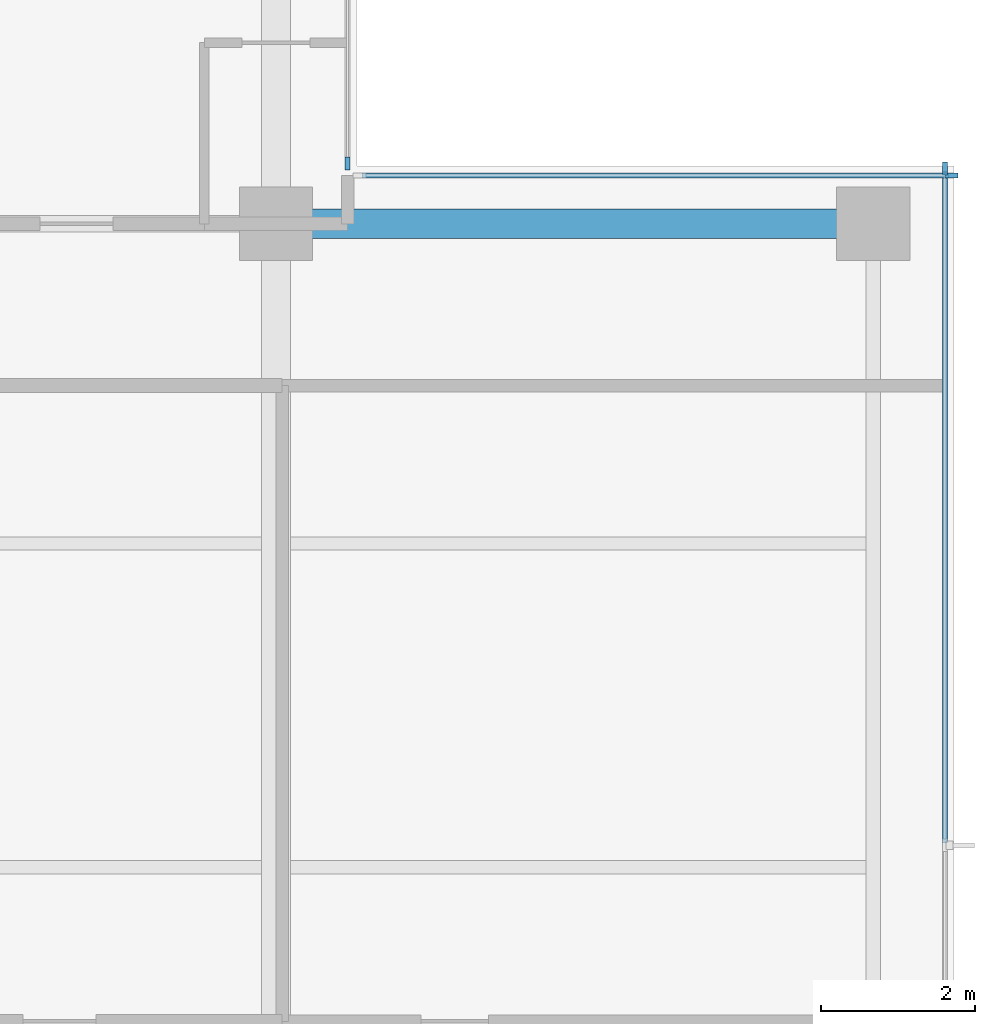
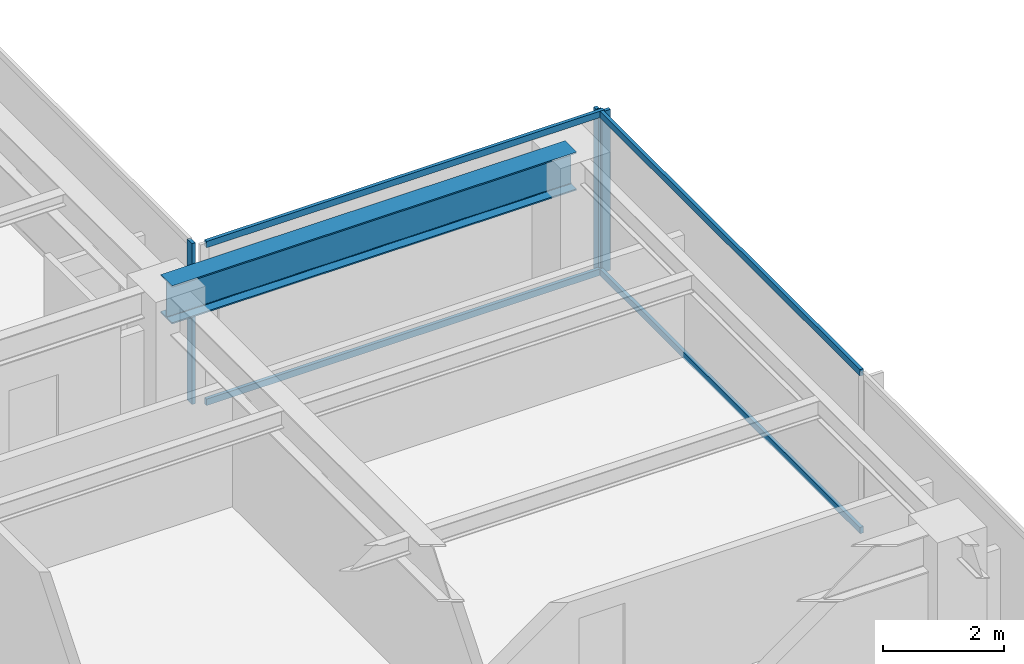
# One storey, part 4 of 15: 7 members, 1 beam, 3 elements without a shape of their own.
"""IFC4 building model written with IfcOpenShell, lengths in metres."""

import ifcopenshell
import ifcopenshell.guid

model = None  # the IFC model being written
_history = None  # IfcOwnerHistory: only IFC2X3 demands one
_inside = {}  # id of a spatial element -> (the spatial element, [elements in it])
_under = {}  # id of a project, library or spatial element -> (it, [spatial elements below it])
_declared = {}  # id of a project -> (the project, [libraries it declares])
_typed = {}  # id of a type object -> (the type object, [elements of that type])
_made_of = {}  # id of a material, layer set ... -> (it, [elements and type objects made of it])


def new_model(schema):
    """Start an empty IFC model of exactly this schema.

    Asked for "IFC4X3", IfcOpenShell would pick the latest addendum, in which some entities
    have other attributes; the version numbers below select the first issue.
    IFC2X3 requires an IfcOwnerHistory on every rooted entity: one is made here for all.
    """
    global model, _history
    if schema == "IFC4X3":
        model = ifcopenshell.file(schema_version=(4, 3, 0, 0))
    else:
        model = ifcopenshell.file(schema=schema)
    _inside.clear()
    _under.clear()
    _declared.clear()
    _typed.clear()
    _made_of.clear()
    _history = None
    if model.schema == "IFC2X3":
        org = make("IfcOrganization", Name="unknown")
        user = make(
            "IfcPersonAndOrganization",
            ThePerson=make("IfcPerson", FamilyName="unknown"),
            TheOrganization=org,
        )
        app = make(
            "IfcApplication",
            ApplicationDeveloper=org,
            Version="unknown",
            ApplicationFullName="unknown",
            ApplicationIdentifier="unknown",
        )
        _history = make(
            "IfcOwnerHistory",
            OwningUser=user,
            OwningApplication=app,
            ChangeAction="ADDED",
            CreationDate=0,
        )
    return model


def make(cls, **values):
    """One entity of the class cls with the attributes given. An attribute that is None is left unset."""
    return model.create_entity(
        cls, **{name: value for name, value in values.items() if value is not None}
    )


def rooted(cls, **values):
    """An entity with a GlobalId (a new one), such as an element, a storey or a relation."""
    return make(cls, GlobalId=ifcopenshell.guid.new(), OwnerHistory=_history, **values)


def si_unit(unit_type, name, prefix=None):
    """IfcSIUnit, for example si_unit("LENGTHUNIT", "METRE", prefix="MILLI")."""
    return make("IfcSIUnit", UnitType=unit_type, Prefix=prefix, Name=name)


def assignment(units):
    """IfcUnitAssignment: the units of a project."""
    return None if units is None else make("IfcUnitAssignment", Units=units)


def point(xyz):
    """IfcCartesianPoint."""
    return None if xyz is None else make("IfcCartesianPoint", Coordinates=xyz)


def direction(xyz):
    """IfcDirection."""
    return None if xyz is None else make("IfcDirection", DirectionRatios=xyz)


def frame(location, z_axis=None, x_axis=None):
    """IfcAxis2Placement3D, a coordinate frame: its origin and axes. An axis left out is left unset."""
    return make(
        "IfcAxis2Placement3D",
        Location=point(location),
        Axis=direction(z_axis),
        RefDirection=direction(x_axis),
    )


def frame_2d(location, x_axis=None):
    """IfcAxis2Placement2D, a coordinate frame in the plane: its origin and x axis."""
    return make(
        "IfcAxis2Placement2D", Location=point(location), RefDirection=direction(x_axis)
    )


def origin():
    """The frame at (0, 0, 0) with its axes left unset."""
    return frame((0.0, 0.0, 0.0))


def origin_2d():
    """The frame at (0, 0) in the plane with its x axis left unset."""
    return frame_2d((0.0, 0.0))


def place(relative_to, where):
    """IfcLocalPlacement: puts the frame where relative to a parent placement (None: the world)."""
    return make(
        "IfcLocalPlacement", PlacementRelTo=relative_to, RelativePlacement=where
    )


def context(
    kind, dimensions, precision=None, world=None, true_north=None, identifier=None
):
    """IfcGeometricRepresentationContext, for example the 3D "Model" context."""
    return make(
        "IfcGeometricRepresentationContext",
        ContextIdentifier=identifier,
        ContextType=kind,
        CoordinateSpaceDimension=dimensions,
        Precision=precision,
        WorldCoordinateSystem=world,
        TrueNorth=true_north,
    )


def subcontext(parent, identifier, kind, view, scale=None):
    """IfcGeometricRepresentationSubContext, for example "Body" below "Model"."""
    return make(
        "IfcGeometricRepresentationSubContext",
        ContextIdentifier=identifier,
        ContextType=kind,
        ParentContext=parent,
        TargetScale=scale,
        TargetView=view,
    )


def project(units=None, contexts=None):
    """IfcProject with its units and contexts."""
    return rooted(
        "IfcProject",
        Name="project",
        RepresentationContexts=contexts,
        UnitsInContext=assignment(units),
    )


def spatial(cls, under=None, at=None, **own):
    """A site, building, storey or space (cls), placed at a placement, below another one or the project."""
    s = rooted(cls, ObjectPlacement=at, **own)
    if under is not None:
        _under.setdefault(under.id(), (under, []))[1].append(s)
    return s


def profile(cls, at=None, kind="AREA", **sizes):
    """A parametric profile (cls). Its sizes go by their IFC names, for example OverallWidth=200.0."""
    return make(cls, ProfileType=kind, Position=at, **sizes)


def rectangle(**sizes):
    """IfcRectangleProfileDef."""
    return profile("IfcRectangleProfileDef", **sizes)


def i_section(**sizes):
    """IfcIShapeProfileDef."""
    return profile("IfcIShapeProfileDef", **sizes)


def extrude(swept, where, along, depth):
    """IfcExtrudedAreaSolid: the profile swept, set in the frame where, extruded along a direction by depth."""
    return make(
        "IfcExtrudedAreaSolid",
        SweptArea=swept,
        Position=where,
        ExtrudedDirection=direction(along),
        Depth=depth,
    )


def shape(context_of_items, identifier, shape_type, items):
    """IfcShapeRepresentation: the items that make up one representation, for example the "Body"."""
    return make(
        "IfcShapeRepresentation",
        ContextOfItems=context_of_items,
        RepresentationIdentifier=identifier,
        RepresentationType=shape_type,
        Items=items,
    )


def material(Name=None, Category=None):
    """IfcMaterial."""
    return make("IfcMaterial", Name=Name, Category=Category)


def layer(
    of_material, thickness, ventilated=None, Name=None, Category=None, Priority=None
):
    """IfcMaterialLayer: one layer of a wall or slab, of a material (None: an air gap)."""
    return make(
        "IfcMaterialLayer",
        Material=of_material,
        LayerThickness=thickness,
        IsVentilated=ventilated,
        Name=Name,
        Category=Category,
        Priority=Priority,
    )


def layer_set(layers, Name=None):
    """IfcMaterialLayerSet."""
    return make("IfcMaterialLayerSet", MaterialLayers=layers, LayerSetName=Name)


def material_profile(
    of_material, cross_section, Name=None, Category=None, Priority=None
):
    """IfcMaterialProfile: a cross section and its material."""
    return make(
        "IfcMaterialProfile",
        Name=Name,
        Material=of_material,
        Profile=cross_section,
        Priority=Priority,
        Category=Category,
    )


def profile_set(profiles, Name=None, composite=None):
    """IfcMaterialProfileSet."""
    return make(
        "IfcMaterialProfileSet",
        Name=Name,
        MaterialProfiles=profiles,
        CompositeProfile=composite,
    )


def made_of(thing, what):
    """Note that an element or type object is made of a material, layer set ...; save() writes the relation."""
    if what is not None:
        _made_of.setdefault(what.id(), (what, []))[1].append(thing)
    return thing


def type_object(cls, material=None, **own):
    """A type object (cls), such as IfcWallType, which elements share."""
    return made_of(rooted(cls, **own), material)


def element(
    cls,
    number,
    at=None,
    inside=None,
    cuts=None,
    type_object=None,
    material=None,
    context=None,
    identifier="Body",
    shape_type=None,
    held_by="IfcProductDefinitionShape",
    body=None,
    shapes=None,
    **own,
):
    """One element of the class cls, such as IfcWall. Its Tag is "e" and its number.

    at: its placement. inside: the storey or other place that contains it. cuts: it is an
    opening in that element (IfcRelVoidsElement). A single representation is given by context,
    identifier, shape_type and body (its items); several are given by shapes. held_by: the class
    of the entity that holds the representations. save() writes the other relations.
    """
    e = rooted(cls, Tag="e%d" % number, ObjectPlacement=at, **own)
    if body is not None:
        shapes = [shape(context, identifier, shape_type, body)]
    if shapes is not None:
        e.Representation = make(held_by, Representations=shapes)
    if inside is not None:
        _inside.setdefault(inside.id(), (inside, []))[1].append(e)
    if cuts is not None:
        rooted(
            "IfcRelVoidsElement", RelatingBuildingElement=cuts, RelatedOpeningElement=e
        )
    if type_object is not None:
        _typed.setdefault(type_object.id(), (type_object, []))[1].append(e)
    return made_of(e, material)


def aggregate(whole, parts):
    """IfcRelAggregates: a whole, such as a stair, and the parts it consists of."""
    return rooted("IfcRelAggregates", RelatingObject=whole, RelatedObjects=parts)


def save(model, path):
    """Write the relations noted so far, then the file.

    IfcRelAggregates (storeys below a building ...), IfcRelContainedInSpatialStructure (elements
    in a storey), IfcRelDefinesByType, IfcRelAssociatesMaterial and IfcRelDeclares: one each for
    every whole, place, type object, material and project.
    """
    for whole, parts in _under.values():
        aggregate(whole, parts)
    for where, things in _inside.values():
        rooted(
            "IfcRelContainedInSpatialStructure",
            RelatedElements=things,
            RelatingStructure=where,
        )
    for kind, things in _typed.values():
        rooted("IfcRelDefinesByType", RelatedObjects=things, RelatingType=kind)
    for what, things in _made_of.values():
        rooted("IfcRelAssociatesMaterial", RelatedObjects=things, RelatingMaterial=what)
    for by, libraries in _declared.values():
        rooted("IfcRelDeclares", RelatingContext=by, RelatedDefinitions=libraries)
    model.write(path)


model = new_model("IFC4")

# Units and contexts
model_context = context("Model", 3, precision=1e-05, world=origin(), true_north=direction((0.0, 1.0)))
body_context = subcontext(model_context, "Body", "Model", "MODEL_VIEW")
ifc_project = project(units=[si_unit("LENGTHUNIT", "METRE"), si_unit("AREAUNIT", "SQUARE_METRE"), si_unit("VOLUMEUNIT", "CUBIC_METRE"), si_unit("PLANEANGLEUNIT", "RADIAN"), si_unit("MASSUNIT", "GRAM", prefix="KILO")], contexts=[model_context])

# Site, building, storey
site_placement = place(None, origin())
site = spatial("IfcSite", under=ifc_project, at=site_placement, CompositionType="ELEMENT")
building_placement = place(site_placement, origin())
building = spatial("IfcBuilding", under=site, at=building_placement, Name="Qalmaran Belvedere Hotel", CompositionType="ELEMENT")
storey_placement = place(building_placement, frame((0.0, 0.0, 196.89990234375)))
storey = spatial("IfcBuildingStorey", under=building, at=storey_placement, Name="L49", CompositionType="ELEMENT", Elevation=196.89990234375)

# Beam
ifc_material_1 = material(Name="Steel S355JR", Category="steel")
ifc_material_profile_1 = material_profile(ifc_material_1, i_section(OverallWidth=0.381103515625, OverallDepth=0.77294921875, WebThickness=0.0166015625, FlangeThickness=0.027099609375, FilletRadius=0.02197265625, at=origin_2d()), Name="W760X257")
ifc_profile_set_1 = profile_set([ifc_material_profile_1], Name="Steel S355JR")
beam_type = type_object("IfcBeamType", Name="BM-PG4-W760X257", PredefinedType="USERDEFINED", material=ifc_profile_set_1)
beam_placement = place(storey_placement, frame((44.800048828125, 33.0, 2.87353515625), z_axis=(1.0, 0.0, 0.0), x_axis=(0.0, 1.0, 0.0)))
element("IfcBeam", 1, at=beam_placement, inside=storey, type_object=beam_type, Name="L49 East Wing Girder 27", ObjectType="GIRDER", PredefinedType="USERDEFINED", context=body_context, shape_type="SweptSolid", body=[
    extrude(i_section(OverallWidth=0.381103515625, OverallDepth=0.77294921875, WebThickness=0.0166015625, FlangeThickness=0.027099609375, FilletRadius=0.02197265625, at=origin_2d()), origin(), (0.0, 0.0, 1.0), 7.75),
])

# Curtain wall, member
ifc_material_2 = material(Name="Anodised Bronze Aluminium", Category="aluminium")
ifc_layer = layer(ifc_material_2, 0.18994140625, Name="Anodised Bronze Aluminium")
ifc_layer_set = layer_set([ifc_layer], Name="Anodised Bronze Aluminium")
curtain_wall_type = type_object("IfcCurtainWallType", Name="CW5-TOWER-UPPER", PredefinedType="NOTDEFINED", material=ifc_layer_set)
curtain_wall_1_placement = place(storey_placement, origin())
curtain_wall_1 = element("IfcCurtainWall", 2, at=curtain_wall_1_placement, inside=storey, type_object=curtain_wall_type, Name="L49 Curtain Wall CW5", PredefinedType="NOTDEFINED")
ifc_material_profile_2 = material_profile(ifc_material_2, rectangle(XDim=0.06494140625, YDim=0.1650390625, at=origin_2d()), Name="CWM65X165")
ifc_profile_set_2 = profile_set([ifc_material_profile_2], Name="Anodised Bronze Aluminium")
member_type_1 = type_object("IfcMemberType", Name="CWM-65X165", PredefinedType="MULLION", material=ifc_profile_set_2)
member_1_placement = place(storey_placement, frame((53.47998046875, 33.717529296875, 0.0), z_axis=(0.0, 0.0, 1.0), x_axis=(-1.0, 0.0, 0.0)))
member_1 = element("IfcMember", 3, at=member_1_placement, type_object=member_type_1, Name="CW5 mullion 4", PredefinedType="MULLION", context=body_context, shape_type="SweptSolid", body=[
    extrude(rectangle(XDim=0.06494140625, YDim=0.1650390625, at=origin_2d()), origin(), (0.0, 0.0, 1.0), 3.260009765625),
])

curtain_wall_2_placement = place(storey_placement, origin())
curtain_wall_2 = element("IfcCurtainWall", 4, at=curtain_wall_2_placement, inside=storey, type_object=curtain_wall_type, Name="L49 Curtain Wall CW5", PredefinedType="NOTDEFINED")
member_2_placement = place(storey_placement, frame((53.5673828125, 33.6298828125, 0.0), z_axis=(0.0, 0.0, 1.0), x_axis=(0.0, -1.0, 0.0)))
member_2 = element("IfcMember", 5, at=member_2_placement, type_object=member_type_1, Name="CW5 mullion 1", PredefinedType="MULLION", context=body_context, shape_type="SweptSolid", body=[
    extrude(rectangle(XDim=0.06494140625, YDim=0.1650390625, at=origin_2d()), origin(), (0.0, 0.0, 1.0), 3.260009765625),
])

curtain_wall_3_placement = place(storey_placement, origin())
curtain_wall_3 = element("IfcCurtainWall", 6, at=curtain_wall_3_placement, inside=storey, type_object=curtain_wall_type, Name="L49 Curtain Wall CW5", PredefinedType="NOTDEFINED")
member_3_placement = place(storey_placement, frame((45.72998046875, 33.782470703125, 0.0), z_axis=(0.0, 0.0, 1.0), x_axis=(-1.0, 0.0, 0.0)))
member_3 = element("IfcMember", 7, at=member_3_placement, type_object=member_type_1, Name="CW5 mullion 1", PredefinedType="MULLION", context=body_context, shape_type="SweptSolid", body=[
    extrude(rectangle(XDim=0.06494140625, YDim=0.1650390625, at=origin_2d()), origin(), (0.0, 0.0, 1.0), 3.260009765625),
])
aggregate(curtain_wall_3, [member_3])

# Member
ifc_material_profile_3 = material_profile(ifc_material_2, rectangle(XDim=0.06494140625, YDim=0.1298828125, at=origin_2d()), Name="CWT65X130")
ifc_profile_set_3 = profile_set([ifc_material_profile_3], Name="Anodised Bronze Aluminium")
member_type_2 = type_object("IfcMemberType", Name="CWT-65X130", PredefinedType="USERDEFINED", material=ifc_profile_set_3)
member_4_placement = place(storey_placement, frame((53.47998046875, 24.9658203125, 0.03271484375), z_axis=(0.0, 1.0, 0.0), x_axis=(-1.0, 0.0, 0.0)))
member_4 = element("IfcMember", 8, at=member_4_placement, type_object=member_type_2, Name="CW5 transom 3.1", ObjectType="TRANSOM", PredefinedType="USERDEFINED", context=body_context, shape_type="SweptSolid", body=[
    extrude(rectangle(XDim=0.06494140625, YDim=0.1298828125, at=origin_2d()), origin(), (0.0, 0.0, 1.0), 8.71923828125),
])

member_5_placement = place(storey_placement, frame((53.47998046875, 24.9658203125, 3.2275390625), z_axis=(0.0, 1.0, 0.0), x_axis=(-1.0, 0.0, 0.0)))
member_5 = element("IfcMember", 9, at=member_5_placement, type_object=member_type_2, Name="CW5 transom 3.2", ObjectType="TRANSOM", PredefinedType="USERDEFINED", context=body_context, shape_type="SweptSolid", body=[
    extrude(rectangle(XDim=0.06494140625, YDim=0.1298828125, at=origin_2d()), origin(), (0.0, 0.0, 1.0), 8.71923828125),
])

aggregate(curtain_wall_1, [member_1, member_4, member_5])

member_6_placement = place(storey_placement, frame((53.534912109375, 33.6298828125, 0.03271484375), z_axis=(-1.0, 0.0, 0.0), x_axis=(0.0, -1.0, 0.0)))
member_6 = element("IfcMember", 10, at=member_6_placement, type_object=member_type_2, Name="CW5 transom 1.1", ObjectType="TRANSOM", PredefinedType="USERDEFINED", context=body_context, shape_type="SweptSolid", body=[
    extrude(rectangle(XDim=0.06494140625, YDim=0.1298828125, at=origin_2d()), origin(), (0.0, 0.0, 1.0), 7.619873046875),
])

member_7_placement = place(storey_placement, frame((53.534912109375, 33.6298828125, 3.2275390625), z_axis=(-1.0, 0.0, 0.0), x_axis=(0.0, -1.0, 0.0)))
member_7 = element("IfcMember", 11, at=member_7_placement, type_object=member_type_2, Name="CW5 transom 1.2", ObjectType="TRANSOM", PredefinedType="USERDEFINED", context=body_context, shape_type="SweptSolid", body=[
    extrude(rectangle(XDim=0.06494140625, YDim=0.1298828125, at=origin_2d()), origin(), (0.0, 0.0, 1.0), 7.619873046875),
])

aggregate(curtain_wall_2, [member_2, member_6, member_7])

save(model, "model.ifc")
